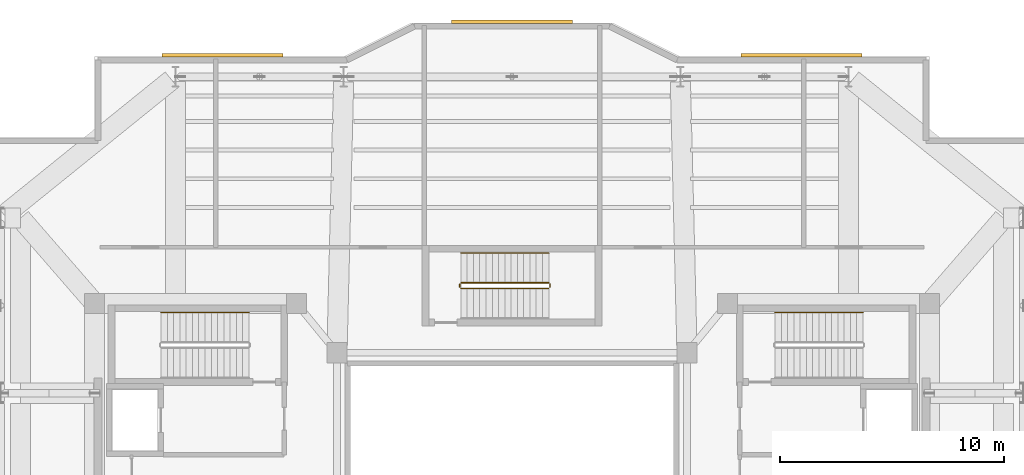
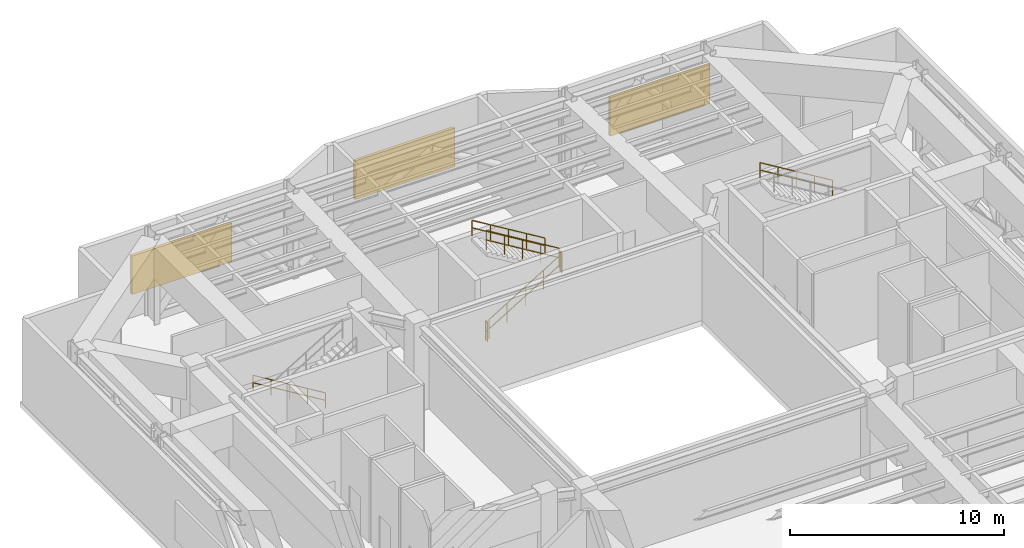
# One storey, part 13 of 13: 7 railings, 3 shading devices.
"""IFC4 building model written with IfcOpenShell, lengths in metres."""

from ifc_helpers import new_model, si_unit, direction, frame, origin, origin_2d, place, context, subcontext, project, spatial, rectangle, circle, extrude, material, layer, layer_set, type_object, element, save


model = new_model("IFC4")

# Units and contexts
model_context = context("Model", 3, precision=1e-05, world=origin(), true_north=direction((0.0, 1.0)))
body_context = subcontext(model_context, "Body", "Model", "MODEL_VIEW")
ifc_project = project(units=[si_unit("LENGTHUNIT", "METRE"), si_unit("AREAUNIT", "SQUARE_METRE"), si_unit("VOLUMEUNIT", "CUBIC_METRE"), si_unit("PLANEANGLEUNIT", "RADIAN"), si_unit("MASSUNIT", "GRAM", prefix="KILO")], contexts=[model_context])

# Site, building, storey
site_placement = place(None, origin())
site = spatial("IfcSite", under=ifc_project, at=site_placement, CompositionType="ELEMENT")
building_placement = place(site_placement, origin())
building = spatial("IfcBuilding", under=site, at=building_placement, Name="Tarnavaz Court Tower", CompositionType="ELEMENT")
storey_placement = place(building_placement, frame((0.0, 0.0, 236.39990234375)))
storey = spatial("IfcBuildingStorey", under=building, at=storey_placement, Name="L64", CompositionType="ELEMENT", Elevation=236.39990234375)

# Railings
ifc_material_1 = material(Name="Brushed Stainless Steel", Category="steel")
railing_type_1 = type_object("IfcRailingType", Name="RL-HANDRAIL-900", PredefinedType="HANDRAIL", material=ifc_material_1)
for number, where, name in (
    (1, (-11.719970703125, 9.590087890625, 0.170166015625), "L64 ST-W1 stair handrail 1"),
    (2, (15.639892578125, 9.590087890625, 2.72021484375), "L64 ST-E1 stair handrail 2"),
    (3, (1.639892578125, 12.239990234375, 2.72021484375), "L64 ST-N1 stair handrail 2"),
):
    element("IfcRailing", number, at=place(storey_placement, frame(where)), inside=storey, type_object=railing_type_1, Name=name, PredefinedType="HANDRAIL", context=body_context, shape_type="SweptSolid", body=[
        extrude(circle(Radius=0.02392578125, at=origin_2d()), frame((0.0, 0.0, 0.8759765625), z_axis=(-0.854794262968, 0.0, 0.518967020143), x_axis=(0.0, -1.0, 0.0)), (0.0, 0.0, 1.0), 4.585693359375),
        extrude(circle(Radius=0.02392578125, at=origin_2d()), frame((0.0, 0.0, 0.449951171875), z_axis=(-0.854794262968, 0.0, 0.518967020143), x_axis=(0.0, -1.0, 0.0)), (0.0, 0.0, 1.0), 4.585693359375),
        extrude(circle(Radius=0.02099609375, at=origin_2d()), origin(), (0.0, 0.0, 1.0), 0.851806640625),
        extrude(circle(Radius=0.02099609375, at=origin_2d()), frame((-0.97998046875, 0.0, 0.594970703125)), (0.0, 0.0, 1.0), 0.851806640625),
        extrude(circle(Radius=0.02099609375, at=origin_2d()), frame((-1.9599609375, 0.0, 1.18994140625)), (0.0, 0.0, 1.0), 0.851806640625),
        extrude(circle(Radius=0.02099609375, at=origin_2d()), frame((-2.93994140625, 0.0, 1.784912109375)), (0.0, 0.0, 1.0), 0.851806640625),
        extrude(circle(Radius=0.02099609375, at=origin_2d()), frame((-3.919921875, 0.0, 2.3798828125)), (0.0, 0.0, 1.0), 0.851806640625),
    ])
ifc_material_2 = material(Name="Galvanized Painted Tubular Steel", Category="steel")
railing_type_2 = type_object("IfcRailingType", Name="RL-STGUARD-1120", PredefinedType="GUARDRAIL", material=ifc_material_2)
railing_1_placement = place(storey_placement, frame((-2.280029296875, 10.669921875, 0.170166015625)))
element("IfcRailing", 4, at=railing_1_placement, inside=storey, type_object=railing_type_2, Name="L64 ST-N1 stair guard 1", PredefinedType="GUARDRAIL", context=body_context, shape_type="SweptSolid", body=[
    extrude(circle(Radius=0.02392578125, at=origin_2d()), frame((0.0, 0.0, 1.09619140625), z_axis=(0.854794262968, 0.0, 0.518967020143), x_axis=(0.0, 1.0, 0.0)), (0.0, 0.0, 1.0), 4.585693359375),
    extrude(circle(Radius=0.02392578125, at=origin_2d()), frame((0.0, 0.0, 0.56005859375), z_axis=(0.854794262968, 0.0, 0.518967020143), x_axis=(0.0, 1.0, 0.0)), (0.0, 0.0, 1.0), 4.585693359375),
    extrude(circle(Radius=0.02099609375, at=origin_2d()), origin(), (0.0, 0.0, 1.0), 1.072021484375),
    extrude(circle(Radius=0.02099609375, at=origin_2d()), frame((0.97998046875, 0.0, 0.594970703125)), (0.0, 0.0, 1.0), 1.072021484375),
    extrude(circle(Radius=0.02099609375, at=origin_2d()), frame((1.9599609375, 0.0, 1.18994140625)), (0.0, 0.0, 1.0), 1.072021484375),
    extrude(circle(Radius=0.02099609375, at=origin_2d()), frame((2.93994140625, 0.0, 1.784912109375)), (0.0, 0.0, 1.0), 1.072021484375),
    extrude(circle(Radius=0.02099609375, at=origin_2d()), frame((3.919921875, 0.0, 2.3798828125)), (0.0, 0.0, 1.0), 1.072021484375),
])
railing_2_placement = place(storey_placement, frame((1.68994140625, 10.719970703125, 2.550048828125)))
element("IfcRailing", 5, at=railing_2_placement, inside=storey, type_object=railing_type_2, Name="L64 ST-N1 stair guard 2", PredefinedType="GUARDRAIL", context=body_context, shape_type="SweptSolid", body=[
    extrude(circle(Radius=0.02392578125, at=origin_2d()), frame((0.0, 0.0, 1.09619140625), z_axis=(0.0, 1.0, 0.0), x_axis=(-1.0, 0.0, 0.0)), (0.0, 0.0, 1.0), 0.150146484375),
    extrude(circle(Radius=0.02392578125, at=origin_2d()), frame((0.0, 0.0, 0.56005859375), z_axis=(0.0, 1.0, 0.0), x_axis=(-1.0, 0.0, 0.0)), (0.0, 0.0, 1.0), 0.150146484375),
    extrude(circle(Radius=0.02099609375, at=origin_2d()), origin(), (0.0, 0.0, 1.0), 1.072021484375),
    extrude(circle(Radius=0.02099609375, at=origin_2d()), frame((0.0, 0.150146484375, 0.0)), (0.0, 0.0, 1.0), 1.072021484375),
])
railing_3_placement = place(storey_placement, frame((1.639892578125, 10.919921875, 2.72021484375)))
element("IfcRailing", 6, at=railing_3_placement, inside=storey, type_object=railing_type_2, Name="L64 ST-N1 stair guard 3", PredefinedType="GUARDRAIL", context=body_context, shape_type="SweptSolid", body=[
    extrude(circle(Radius=0.02392578125, at=origin_2d()), frame((0.0, 0.0, 1.09619140625), z_axis=(-0.854794262968, 0.0, 0.518967020143), x_axis=(0.0, -1.0, 0.0)), (0.0, 0.0, 1.0), 4.585693359375),
    extrude(circle(Radius=0.02392578125, at=origin_2d()), frame((0.0, 0.0, 0.56005859375), z_axis=(-0.854794262968, 0.0, 0.518967020143), x_axis=(0.0, -1.0, 0.0)), (0.0, 0.0, 1.0), 4.585693359375),
    extrude(circle(Radius=0.02099609375, at=origin_2d()), origin(), (0.0, 0.0, 1.0), 1.072021484375),
    extrude(circle(Radius=0.02099609375, at=origin_2d()), frame((-0.97998046875, 0.0, 0.594970703125)), (0.0, 0.0, 1.0), 1.072021484375),
    extrude(circle(Radius=0.02099609375, at=origin_2d()), frame((-1.9599609375, 0.0, 1.18994140625)), (0.0, 0.0, 1.0), 1.072021484375),
    extrude(circle(Radius=0.02099609375, at=origin_2d()), frame((-2.93994140625, 0.0, 1.784912109375)), (0.0, 0.0, 1.0), 1.072021484375),
    extrude(circle(Radius=0.02099609375, at=origin_2d()), frame((-3.919921875, 0.0, 2.3798828125)), (0.0, 0.0, 1.0), 1.072021484375),
])
railing_4_placement = place(storey_placement, frame((-2.330078125, 10.719970703125, 0.0)))
element("IfcRailing", 7, at=railing_4_placement, inside=storey, type_object=railing_type_2, Name="L64 ST-N1 stair guard 4", PredefinedType="GUARDRAIL", context=body_context, shape_type="SweptSolid", body=[
    extrude(circle(Radius=0.02392578125, at=origin_2d()), frame((0.0, 0.0, 1.09619140625), z_axis=(0.0, 1.0, 0.0), x_axis=(-1.0, 0.0, 0.0)), (0.0, 0.0, 1.0), 0.150146484375),
    extrude(circle(Radius=0.02392578125, at=origin_2d()), frame((0.0, 0.0, 0.56005859375), z_axis=(0.0, 1.0, 0.0), x_axis=(-1.0, 0.0, 0.0)), (0.0, 0.0, 1.0), 0.150146484375),
    extrude(circle(Radius=0.02099609375, at=origin_2d()), origin(), (0.0, 0.0, 1.0), 1.072021484375),
    extrude(circle(Radius=0.02099609375, at=origin_2d()), frame((0.0, 0.150146484375, 0.0)), (0.0, 0.0, 1.0), 1.072021484375),
])

# Shading devices
ifc_material_3 = material(Name="Anodised Aluminium 6063-T6 Acoustic Louvre", Category="aluminium")
ifc_layer = layer(ifc_material_3, 0.159912109375)
ifc_layer_set = layer_set([ifc_layer], Name="Anodised Aluminium 6063-T6 Acoustic Louvre")
shading_device_type = type_object("IfcShadingDeviceType", Name="SD-LOUV-200", PredefinedType="JALOUSIE", material=ifc_layer_set)
for number, where, z_axis, x_axis, name in (
    (8, (-12.89990234375, 21.050048828125, 1.10009765625), (0.0, 0.0, 1.0), (1.0, 0.0, 0.0), "L64 Plant Sand-Trap Acoustic Louvre 05"),
    (9, (0.0, 22.550048828125, 1.10009765625), (0.0, 0.0, 1.0), (1.0, 0.0, 0.0), "L64 Plant Sand-Trap Acoustic Louvre 07"),
    (10, (12.89990234375, 21.050048828125, 1.10009765625), (0.0, 0.0, 1.0), (1.0, 0.0, 0.0), "L64 Plant Sand-Trap Acoustic Louvre 09"),
):
    element("IfcShadingDevice", number, at=place(storey_placement, frame(where, z_axis=z_axis, x_axis=x_axis)), inside=storey, type_object=shading_device_type, Name=name, PredefinedType="JALOUSIE", context=body_context, shape_type="SweptSolid", body=[
        extrude(rectangle(XDim=5.39990234375, YDim=0.159912109375, at=origin_2d()), origin(), (0.0, 0.0, 1.0), 2.199951171875),
    ])

save(model, "model.ifc")
